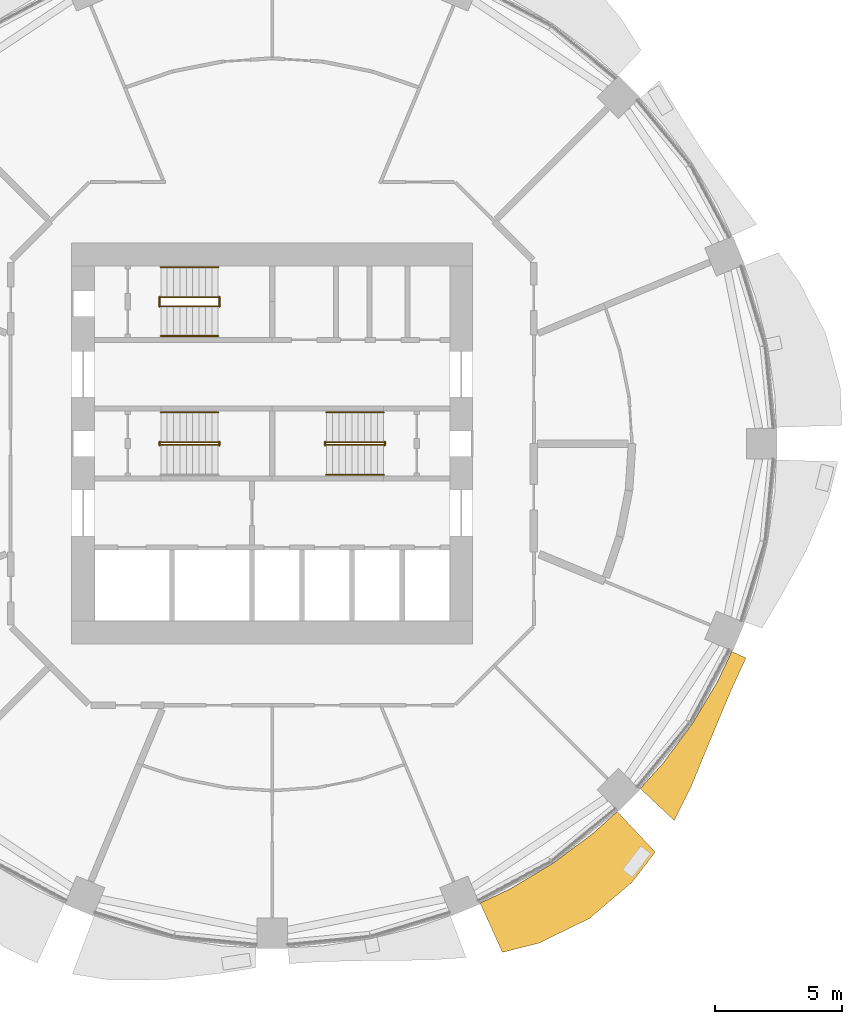
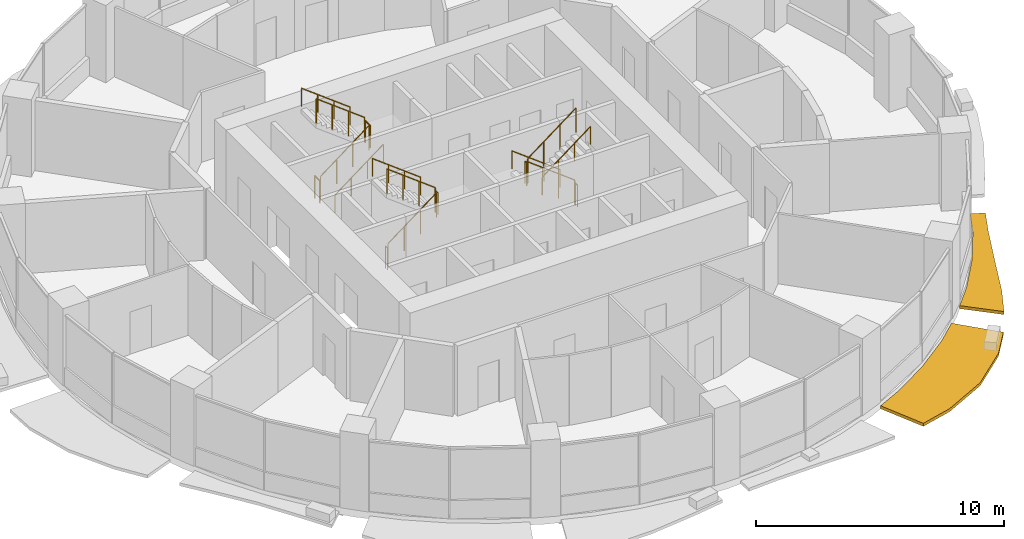
# One storey, part 13 of 15: 17 railings, 2 shading devices.
"""IFC4 building model written with IfcOpenShell, lengths in metres."""

from ifc_helpers import new_model, si_unit, direction, frame, origin, origin_2d, place, context, subcontext, project, spatial, polyline, circle, outline, extrude, material, type_object, element, save


model = new_model("IFC4")

# Units and contexts
model_context = context("Model", 3, precision=1e-05, world=origin(), true_north=direction((0.0, 1.0)))
body_context = subcontext(model_context, "Body", "Model", "MODEL_VIEW")
ifc_project = project(units=[si_unit("LENGTHUNIT", "METRE"), si_unit("AREAUNIT", "SQUARE_METRE"), si_unit("VOLUMEUNIT", "CUBIC_METRE"), si_unit("PLANEANGLEUNIT", "RADIAN"), si_unit("MASSUNIT", "GRAM", prefix="KILO")], contexts=[model_context])

# Site, building, storey
site_placement = place(None, origin())
site = spatial("IfcSite", under=ifc_project, at=site_placement, CompositionType="ELEMENT")
building_placement = place(site_placement, origin())
building = spatial("IfcBuilding", under=site, at=building_placement, Name="Polderwave Tower", CompositionType="ELEMENT")
storey_placement = place(building_placement, frame((0.0, 0.0, 22.39990234375)))
storey = spatial("IfcBuildingStorey", under=building, at=storey_placement, Name="L05", CompositionType="ELEMENT", Elevation=22.39990234375)

# Railings
ifc_material_1 = material(Name="Stainless steel", Category="steel")
railing_type_1 = type_object("IfcRailingType", Name="Stair guard 1100", PredefinedType="GUARDRAIL", material=ifc_material_1)
railing_1_placement = place(storey_placement, frame((-4.3740234375, -0.051025390625, 0.070068359375)))
element("IfcRailing", 1, at=railing_1_placement, inside=storey, type_object=railing_type_1, Name="L05 ST-A stair guard 1", PredefinedType="GUARDRAIL", context=body_context, shape_type="SweptSolid", body=[
    extrude(circle(Radius=0.02392578125, at=origin_2d()), frame((0.0, 0.0, 1.1962890625), z_axis=(0.796168852927, 0.0, 0.605074505849), x_axis=(0.0, 1.0, 0.0)), (0.0, 0.0, 1.0), 2.825927734375),
    extrude(circle(Radius=0.02392578125, at=origin_2d()), origin(), (0.0, 0.0, 1.0), 1.172119140625),
    extrude(circle(Radius=0.02392578125, at=origin_2d()), frame((0.75, 0.0, 0.570068359375)), (0.0, 0.0, 1.0), 1.172119140625),
    extrude(circle(Radius=0.02392578125, at=origin_2d()), frame((1.5, 0.0, 1.139892578125)), (0.0, 0.0, 1.0), 1.172119140625),
    extrude(circle(Radius=0.02392578125, at=origin_2d()), frame((2.25, 0.0, 1.7099609375)), (0.0, 0.0, 1.0), 1.172119140625),
])
railing_2_placement = place(storey_placement, frame((-2.073974609375, -0.074951171875, 1.900146484375)))
element("IfcRailing", 2, at=railing_2_placement, inside=storey, type_object=railing_type_1, Name="L05 ST-A stair guard 2", PredefinedType="GUARDRAIL", context=body_context, shape_type="SweptSolid", body=[
    extrude(circle(Radius=0.02392578125, at=origin_2d()), frame((0.0, 0.0, 1.076171875), z_axis=(0.0, 1.0, 0.0), x_axis=(-1.0, 0.0, 0.0)), (0.0, 0.0, 1.0), 0.14990234375),
    extrude(circle(Radius=0.02099609375, at=origin_2d()), origin(), (0.0, 0.0, 1.0), 1.052001953125),
    extrude(circle(Radius=0.02099609375, at=origin_2d()), frame((0.0, 0.14990234375, 0.0)), (0.0, 0.0, 1.0), 1.052001953125),
])
railing_3_placement = place(storey_placement, frame((-2.1240234375, 0.051025390625, 1.969970703125)))
element("IfcRailing", 3, at=railing_3_placement, inside=storey, type_object=railing_type_1, Name="L05 ST-A stair guard 3", PredefinedType="GUARDRAIL", context=body_context, shape_type="SweptSolid", body=[
    extrude(circle(Radius=0.02392578125, at=origin_2d()), frame((0.0, 0.0, 1.1962890625), z_axis=(-0.796168852927, 0.0, 0.605074505849), x_axis=(0.0, -1.0, 0.0)), (0.0, 0.0, 1.0), 2.825927734375),
    extrude(circle(Radius=0.02392578125, at=origin_2d()), origin(), (0.0, 0.0, 1.0), 1.172119140625),
    extrude(circle(Radius=0.02392578125, at=origin_2d()), frame((-0.75, 0.0, 0.570068359375)), (0.0, 0.0, 1.0), 1.172119140625),
    extrude(circle(Radius=0.02392578125, at=origin_2d()), frame((-1.5, 0.0, 1.139892578125)), (0.0, 0.0, 1.0), 1.172119140625),
    extrude(circle(Radius=0.02392578125, at=origin_2d()), frame((-2.25, 0.0, 1.7099609375)), (0.0, 0.0, 1.0), 1.172119140625),
])
railing_4_placement = place(storey_placement, frame((-4.424072265625, -0.074951171875, 0.0)))
element("IfcRailing", 4, at=railing_4_placement, inside=storey, type_object=railing_type_1, Name="L05 ST-A stair guard 4", PredefinedType="GUARDRAIL", context=body_context, shape_type="SweptSolid", body=[
    extrude(circle(Radius=0.02392578125, at=origin_2d()), frame((0.0, 0.0, 1.076171875), z_axis=(0.0, 1.0, 0.0), x_axis=(-1.0, 0.0, 0.0)), (0.0, 0.0, 1.0), 0.14990234375),
    extrude(circle(Radius=0.02099609375, at=origin_2d()), origin(), (0.0, 0.0, 1.0), 1.052001953125),
    extrude(circle(Radius=0.02099609375, at=origin_2d()), frame((0.0, 0.14990234375, 0.0)), (0.0, 0.0, 1.0), 1.052001953125),
])
railing_5_placement = place(storey_placement, frame((4.3740234375, 0.051025390625, 0.070068359375)))
element("IfcRailing", 5, at=railing_5_placement, inside=storey, type_object=railing_type_1, Name="L05 ST-B stair guard 1", PredefinedType="GUARDRAIL", context=body_context, shape_type="SweptSolid", body=[
    extrude(circle(Radius=0.02392578125, at=origin_2d()), frame((0.0, 0.0, 1.1962890625), z_axis=(-0.796168852927, 0.0, 0.605074505849), x_axis=(0.0, -1.0, 0.0)), (0.0, 0.0, 1.0), 2.825927734375),
    extrude(circle(Radius=0.02392578125, at=origin_2d()), origin(), (0.0, 0.0, 1.0), 1.172119140625),
    extrude(circle(Radius=0.02392578125, at=origin_2d()), frame((-0.75, 0.0, 0.570068359375)), (0.0, 0.0, 1.0), 1.172119140625),
    extrude(circle(Radius=0.02392578125, at=origin_2d()), frame((-1.5, 0.0, 1.139892578125)), (0.0, 0.0, 1.0), 1.172119140625),
    extrude(circle(Radius=0.02392578125, at=origin_2d()), frame((-2.25, 0.0, 1.7099609375)), (0.0, 0.0, 1.0), 1.172119140625),
])
railing_6_placement = place(storey_placement, frame((2.073974609375, 0.074951171875, 1.900146484375)))
element("IfcRailing", 6, at=railing_6_placement, inside=storey, type_object=railing_type_1, Name="L05 ST-B stair guard 2", PredefinedType="GUARDRAIL", context=body_context, shape_type="SweptSolid", body=[
    extrude(circle(Radius=0.02392578125, at=origin_2d()), frame((0.0, 0.0, 1.076171875), z_axis=(0.0, -1.0, 0.0), x_axis=(1.0, 0.0, 0.0)), (0.0, 0.0, 1.0), 0.14990234375),
    extrude(circle(Radius=0.02099609375, at=origin_2d()), origin(), (0.0, 0.0, 1.0), 1.052001953125),
    extrude(circle(Radius=0.02099609375, at=origin_2d()), frame((0.0, -0.14990234375, 0.0)), (0.0, 0.0, 1.0), 1.052001953125),
])
railing_7_placement = place(storey_placement, frame((2.1240234375, -0.051025390625, 1.969970703125)))
element("IfcRailing", 7, at=railing_7_placement, inside=storey, type_object=railing_type_1, Name="L05 ST-B stair guard 3", PredefinedType="GUARDRAIL", context=body_context, shape_type="SweptSolid", body=[
    extrude(circle(Radius=0.02392578125, at=origin_2d()), frame((0.0, 0.0, 1.1962890625), z_axis=(0.796168852927, 0.0, 0.605074505849), x_axis=(0.0, 1.0, 0.0)), (0.0, 0.0, 1.0), 2.825927734375),
    extrude(circle(Radius=0.02392578125, at=origin_2d()), origin(), (0.0, 0.0, 1.0), 1.172119140625),
    extrude(circle(Radius=0.02392578125, at=origin_2d()), frame((0.75, 0.0, 0.570068359375)), (0.0, 0.0, 1.0), 1.172119140625),
    extrude(circle(Radius=0.02392578125, at=origin_2d()), frame((1.5, 0.0, 1.139892578125)), (0.0, 0.0, 1.0), 1.172119140625),
    extrude(circle(Radius=0.02392578125, at=origin_2d()), frame((2.25, 0.0, 1.7099609375)), (0.0, 0.0, 1.0), 1.172119140625),
])
railing_8_placement = place(storey_placement, frame((4.424072265625, 0.074951171875, 0.0)))
element("IfcRailing", 8, at=railing_8_placement, inside=storey, type_object=railing_type_1, Name="L05 ST-B stair guard 4", PredefinedType="GUARDRAIL", context=body_context, shape_type="SweptSolid", body=[
    extrude(circle(Radius=0.02392578125, at=origin_2d()), frame((0.0, 0.0, 1.076171875), z_axis=(0.0, -1.0, 0.0), x_axis=(1.0, 0.0, 0.0)), (0.0, 0.0, 1.0), 0.14990234375),
    extrude(circle(Radius=0.02099609375, at=origin_2d()), origin(), (0.0, 0.0, 1.0), 1.052001953125),
    extrude(circle(Radius=0.02099609375, at=origin_2d()), frame((0.0, -0.14990234375, 0.0)), (0.0, 0.0, 1.0), 1.052001953125),
])
railing_9_placement = place(storey_placement, frame((-4.3740234375, 5.39794921875, 0.070068359375)))
element("IfcRailing", 9, at=railing_9_placement, inside=storey, type_object=railing_type_1, Name="L05 ST-C stair guard 1", PredefinedType="GUARDRAIL", context=body_context, shape_type="SweptSolid", body=[
    extrude(circle(Radius=0.02392578125, at=origin_2d()), frame((0.0, 0.0, 1.1962890625), z_axis=(0.796168852927, 0.0, 0.605074505849), x_axis=(0.0, 1.0, 0.0)), (0.0, 0.0, 1.0), 2.825927734375),
    extrude(circle(Radius=0.02392578125, at=origin_2d()), origin(), (0.0, 0.0, 1.0), 1.172119140625),
    extrude(circle(Radius=0.02392578125, at=origin_2d()), frame((0.75, 0.0, 0.570068359375)), (0.0, 0.0, 1.0), 1.172119140625),
    extrude(circle(Radius=0.02392578125, at=origin_2d()), frame((1.5, 0.0, 1.139892578125)), (0.0, 0.0, 1.0), 1.172119140625),
    extrude(circle(Radius=0.02392578125, at=origin_2d()), frame((2.25, 0.0, 1.7099609375)), (0.0, 0.0, 1.0), 1.172119140625),
])
railing_10_placement = place(storey_placement, frame((-2.073974609375, 5.3740234375, 1.900146484375)))
element("IfcRailing", 10, at=railing_10_placement, inside=storey, type_object=railing_type_1, Name="L05 ST-C stair guard 2", PredefinedType="GUARDRAIL", context=body_context, shape_type="SweptSolid", body=[
    extrude(circle(Radius=0.02392578125, at=origin_2d()), frame((0.0, 0.0, 1.076171875), z_axis=(0.0, 1.0, 0.0), x_axis=(-1.0, 0.0, 0.0)), (0.0, 0.0, 1.0), 0.39990234375),
    extrude(circle(Radius=0.02099609375, at=origin_2d()), origin(), (0.0, 0.0, 1.0), 1.052001953125),
    extrude(circle(Radius=0.02099609375, at=origin_2d()), frame((0.0, 0.39990234375, 0.0)), (0.0, 0.0, 1.0), 1.052001953125),
])
railing_11_placement = place(storey_placement, frame((-2.1240234375, 5.75, 1.969970703125)))
element("IfcRailing", 11, at=railing_11_placement, inside=storey, type_object=railing_type_1, Name="L05 ST-C stair guard 3", PredefinedType="GUARDRAIL", context=body_context, shape_type="SweptSolid", body=[
    extrude(circle(Radius=0.02392578125, at=origin_2d()), frame((0.0, 0.0, 1.1962890625), z_axis=(-0.796168852927, 0.0, 0.605074505849), x_axis=(0.0, -1.0, 0.0)), (0.0, 0.0, 1.0), 2.825927734375),
    extrude(circle(Radius=0.02392578125, at=origin_2d()), origin(), (0.0, 0.0, 1.0), 1.172119140625),
    extrude(circle(Radius=0.02392578125, at=origin_2d()), frame((-0.75, 0.0, 0.570068359375)), (0.0, 0.0, 1.0), 1.172119140625),
    extrude(circle(Radius=0.02392578125, at=origin_2d()), frame((-1.5, 0.0, 1.139892578125)), (0.0, 0.0, 1.0), 1.172119140625),
    extrude(circle(Radius=0.02392578125, at=origin_2d()), frame((-2.25, 0.0, 1.7099609375)), (0.0, 0.0, 1.0), 1.172119140625),
])
railing_12_placement = place(storey_placement, frame((-4.424072265625, 5.3740234375, 0.0)))
element("IfcRailing", 12, at=railing_12_placement, inside=storey, type_object=railing_type_1, Name="L05 ST-C stair guard 4", PredefinedType="GUARDRAIL", context=body_context, shape_type="SweptSolid", body=[
    extrude(circle(Radius=0.02392578125, at=origin_2d()), frame((0.0, 0.0, 1.076171875), z_axis=(0.0, 1.0, 0.0), x_axis=(-1.0, 0.0, 0.0)), (0.0, 0.0, 1.0), 0.39990234375),
    extrude(circle(Radius=0.02099609375, at=origin_2d()), origin(), (0.0, 0.0, 1.0), 1.052001953125),
    extrude(circle(Radius=0.02099609375, at=origin_2d()), frame((0.0, 0.39990234375, 0.0)), (0.0, 0.0, 1.0), 1.052001953125),
])
railing_type_2 = type_object("IfcRailingType", Name="Stair handrail 900", PredefinedType="HANDRAIL", material=ifc_material_1)
for number, where, name in (
    (13, (-2.1240234375, 1.22509765625, 2.090087890625), "L05 ST-A stair handrail 2"),
    (14, (4.3740234375, 1.22509765625, 0.190185546875), "L05 ST-B stair handrail 1"),
):
    element("IfcRailing", number, at=place(storey_placement, frame(where)), inside=storey, type_object=railing_type_2, Name=name, PredefinedType="HANDRAIL", context=body_context, shape_type="SweptSolid", body=[
        extrude(circle(Radius=0.02392578125, at=origin_2d()), frame((0.0, 0.0, 0.8759765625), z_axis=(-0.796168852927, 0.0, 0.605074505849), x_axis=(0.0, -1.0, 0.0)), (0.0, 0.0, 1.0), 2.825927734375),
        extrude(circle(Radius=0.02099609375, at=origin_2d()), origin(), (0.0, 0.0, 1.0), 0.851806640625),
        extrude(circle(Radius=0.02099609375, at=origin_2d()), frame((-0.75, 0.0, 0.570068359375)), (0.0, 0.0, 1.0), 0.851806640625),
        extrude(circle(Radius=0.02099609375, at=origin_2d()), frame((-1.5, 0.0, 1.139892578125)), (0.0, 0.0, 1.0), 0.851806640625),
        extrude(circle(Radius=0.02099609375, at=origin_2d()), frame((-2.25, 0.0, 1.7099609375)), (0.0, 0.0, 1.0), 0.851806640625),
    ])
for number, where, name in (
    (15, (2.1240234375, -1.22509765625, 2.090087890625), "L05 ST-B stair handrail 2"),
    (16, (-4.3740234375, 4.22412109375, 0.190185546875), "L05 ST-C stair handrail 1"),
):
    element("IfcRailing", number, at=place(storey_placement, frame(where)), inside=storey, type_object=railing_type_2, Name=name, PredefinedType="HANDRAIL", context=body_context, shape_type="SweptSolid", body=[
        extrude(circle(Radius=0.02392578125, at=origin_2d()), frame((0.0, 0.0, 0.8759765625), z_axis=(0.796168852927, 0.0, 0.605074505849), x_axis=(0.0, 1.0, 0.0)), (0.0, 0.0, 1.0), 2.825927734375),
        extrude(circle(Radius=0.02099609375, at=origin_2d()), origin(), (0.0, 0.0, 1.0), 0.851806640625),
        extrude(circle(Radius=0.02099609375, at=origin_2d()), frame((0.75, 0.0, 0.570068359375)), (0.0, 0.0, 1.0), 0.851806640625),
        extrude(circle(Radius=0.02099609375, at=origin_2d()), frame((1.5, 0.0, 1.139892578125)), (0.0, 0.0, 1.0), 0.851806640625),
        extrude(circle(Radius=0.02099609375, at=origin_2d()), frame((2.25, 0.0, 1.7099609375)), (0.0, 0.0, 1.0), 0.851806640625),
    ])
railing_13_placement = place(storey_placement, frame((-2.1240234375, 6.924072265625, 2.090087890625)))
element("IfcRailing", 17, at=railing_13_placement, inside=storey, type_object=railing_type_2, Name="L05 ST-C stair handrail 2", PredefinedType="HANDRAIL", context=body_context, shape_type="SweptSolid", body=[
    extrude(circle(Radius=0.02392578125, at=origin_2d()), frame((0.0, 0.0, 0.8759765625), z_axis=(-0.796168852927, 0.0, 0.605074505849), x_axis=(0.0, -1.0, 0.0)), (0.0, 0.0, 1.0), 2.825927734375),
    extrude(circle(Radius=0.02099609375, at=origin_2d()), origin(), (0.0, 0.0, 1.0), 0.851806640625),
    extrude(circle(Radius=0.02099609375, at=origin_2d()), frame((-0.75, 0.0, 0.570068359375)), (0.0, 0.0, 1.0), 0.851806640625),
    extrude(circle(Radius=0.02099609375, at=origin_2d()), frame((-1.5, 0.0, 1.139892578125)), (0.0, 0.0, 1.0), 0.851806640625),
    extrude(circle(Radius=0.02099609375, at=origin_2d()), frame((-2.25, 0.0, 1.7099609375)), (0.0, 0.0, 1.0), 0.851806640625),
])

# Shading devices
ifc_material_2 = material(Name="Terracotta", Category="masonry")
shading_device_type = type_object("IfcShadingDeviceType", Name="Terracotta sunshade band", PredefinedType="USERDEFINED", material=ifc_material_2)
shading_device_1_placement = place(storey_placement, frame((0.0, 0.0, -0.349853515625)))
element("IfcShadingDevice", 18, at=shading_device_1_placement, inside=storey, type_object=shading_device_type, Name="Sunshade band L05 14", ObjectType="SUNSHADE", PredefinedType="USERDEFINED", context=body_context, shape_type="SweptSolid", body=[
    extrude(outline(polyline([(8.165771484375, -18.047607421875), (9.347900390625, -17.488525390625), (11.01708984375, -16.488037109375), (12.580078125, -15.328857421875), (13.548828125, -14.45068359375), (15.04150390625, -16.042724609375), (14.134765625, -17.223388671875), (12.461181640625, -18.6494140625), (10.484375, -19.614990234375), (9.040771484375, -19.981689453125), (8.165771484375, -18.047607421875)])), origin(), (0.0, 0.0, 1.0), 0.14990234375),
])
shading_device_2_placement = place(storey_placement, frame((0.0, 0.0, -0.349853515625)))
element("IfcShadingDevice", 19, at=shading_device_2_placement, inside=storey, type_object=shading_device_type, Name="Sunshade band L05 15", ObjectType="SUNSHADE", PredefinedType="USERDEFINED", context=body_context, shape_type="SweptSolid", body=[
    extrude(outline(polyline([(14.45068359375, -13.548828125), (15.328857421875, -12.580078125), (16.488037109375, -11.01708984375), (17.488525390625, -9.347900390625), (18.047607421875, -8.165771484375), (18.6064453125, -8.418701171875), (18.041259765625, -9.643310546875), (17.251953125, -11.52734375), (16.44189453125, -13.49365234375), (15.787841796875, -14.802734375), (14.45068359375, -13.548828125)])), origin(), (0.0, 0.0, 1.0), 0.14990234375),
])

save(model, "model.ifc")
